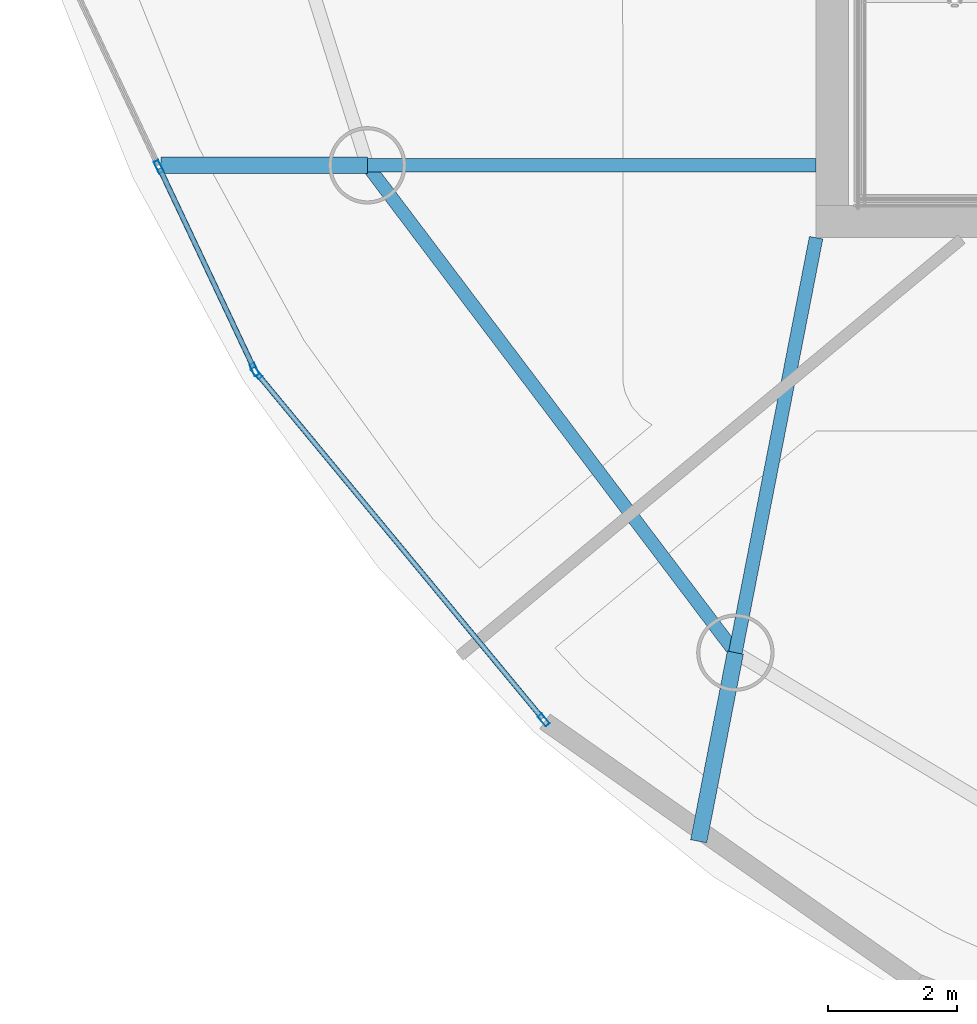
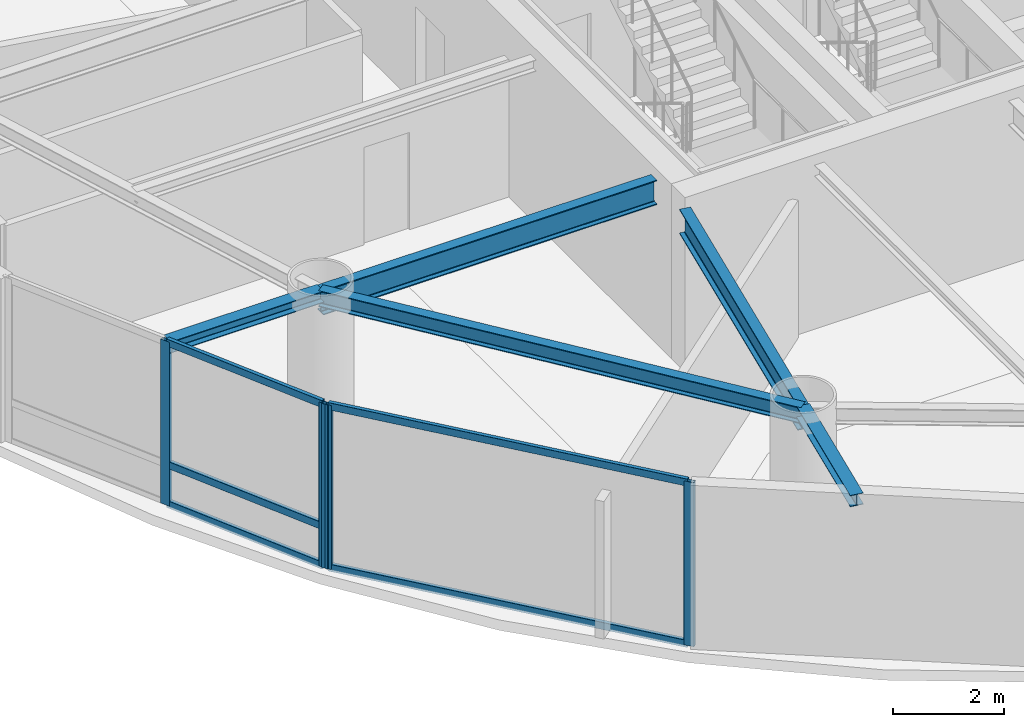
# One storey, part 2 of 20: 9 members, 5 beams, 2 elements without a shape of their own.
"""IFC4 building model written with IfcOpenShell, lengths in metres."""

from ifc_helpers import new_model, si_unit, direction, frame, origin, origin_2d, place, context, subcontext, project, spatial, hollow_rectangle, i_section, extrude, material, layer, layer_set, material_profile, profile_set, type_object, element, aggregate, save


model = new_model("IFC4")

# Units and contexts
model_context = context("Model", 3, precision=1e-05, world=origin(), true_north=direction((0.0, 1.0)))
body_context = subcontext(model_context, "Body", "Model", "MODEL_VIEW")
ifc_project = project(units=[si_unit("LENGTHUNIT", "METRE"), si_unit("AREAUNIT", "SQUARE_METRE"), si_unit("VOLUMEUNIT", "CUBIC_METRE"), si_unit("PLANEANGLEUNIT", "RADIAN"), si_unit("MASSUNIT", "GRAM", prefix="KILO")], contexts=[model_context])

# Site, building, storey
site_placement = place(None, origin())
site = spatial("IfcSite", under=ifc_project, at=site_placement, CompositionType="ELEMENT")
building_placement = place(site_placement, origin())
building = spatial("IfcBuilding", under=site, at=building_placement, Name="Bramvorn Convention Spire", CompositionType="ELEMENT")
storey_placement = place(building_placement, frame((0.0, 0.0, 202.0)))
storey = spatial("IfcBuildingStorey", under=building, at=storey_placement, Name="L51", CompositionType="ELEMENT", Elevation=202.0)

# Beams
ifc_material_1 = material(Name="Steel CSA G40.21 Grade 350 (350W)", Category="steel")
ifc_material_profile_1 = material_profile(ifc_material_1, i_section(OverallWidth=0.25390625, OverallDepth=0.2529296875, WebThickness=0.008544921875, FlangeThickness=0.01416015625, FilletRadius=0.011962890625, at=origin_2d()))
ifc_profile_set_1 = profile_set([ifc_material_profile_1], Name="Steel CSA G40.21 Grade 350 (350W) - W250X73")
beam_type_1 = type_object("IfcBeamType", Name="BM-W250X73", PredefinedType="BEAM", material=ifc_profile_set_1)
beam_1_placement = place(storey_placement, frame((19.78955078125, 19.672607421875, 3.493408203125), z_axis=(-1.0, 0.0, 0.0), x_axis=(0.0, -1.0, 0.0)))
element("IfcBeam", 1, at=beam_1_placement, inside=storey, type_object=beam_type_1, Name="L51 slab-edge cantilever tip beam MC12", PredefinedType="BEAM", context=body_context, shape_type="SweptSolid", body=[
    extrude(i_section(OverallWidth=0.25390625, OverallDepth=0.2529296875, WebThickness=0.008544921875, FlangeThickness=0.01416015625, FilletRadius=0.011962890625, at=origin_2d()), origin(), (0.0, 0.0, 1.0), 3.199951171875),
])
beam_2_placement = place(storey_placement, frame((25.498046875, 12.114990234375, 3.493408203125), z_axis=(-0.191009966845, -0.981588097201, 0.0), x_axis=(0.981588097201, -0.191009966845, 0.0)))
element("IfcBeam", 2, at=beam_2_placement, inside=storey, type_object=beam_type_1, Name="L51 slab-edge cantilever tip beam MC13", PredefinedType="BEAM", context=body_context, shape_type="SweptSolid", body=[
    extrude(i_section(OverallWidth=0.25390625, OverallDepth=0.2529296875, WebThickness=0.008544921875, FlangeThickness=0.01416015625, FilletRadius=0.011962890625, at=origin_2d()), origin(), (0.0, 0.0, 1.0), 2.980712890625),
])
ifc_material_profile_2 = material_profile(ifc_material_1, i_section(OverallWidth=0.205078125, OverallDepth=0.35400390625, WebThickness=0.009521484375, FlangeThickness=0.016845703125, FilletRadius=0.014892578125, at=origin_2d()))
ifc_profile_set_2 = profile_set([ifc_material_profile_2], Name="Steel CSA G40.21 Grade 350 (350W) - W360X79")
beam_type_2 = type_object("IfcBeamType", Name="BM-W360X79", PredefinedType="JOIST", material=ifc_profile_set_2)
beam_3_placement = place(storey_placement, frame((19.78955078125, 19.672607421875, 3.443115234375), z_axis=(0.602718581414, -0.797953827999, 0.0), x_axis=(0.797953827999, 0.602718581414, 0.0)))
element("IfcBeam", 3, at=beam_3_placement, inside=storey, type_object=beam_type_2, Name="L51 mega-column ring beam 12", PredefinedType="JOIST", context=body_context, shape_type="SweptSolid", body=[
    extrude(i_section(OverallWidth=0.205078125, OverallDepth=0.35400390625, WebThickness=0.009521484375, FlangeThickness=0.016845703125, FilletRadius=0.014892578125, at=origin_2d()), origin(), (0.0, 0.0, 1.0), 9.47119140625),
])
ifc_material_profile_3 = material_profile(ifc_material_1, i_section(OverallWidth=0.2119140625, OverallDepth=0.5439453125, WebThickness=0.01318359375, FlangeThickness=0.021240234375, FilletRadius=0.01904296875, at=origin_2d()))
ifc_profile_set_3 = profile_set([ifc_material_profile_3], Name="Steel CSA G40.21 Grade 350 (350W) - W530X123")
beam_type_3 = type_object("IfcBeamType", Name="BM-W530X123", PredefinedType="BEAM", material=ifc_profile_set_3)
beam_4_placement = place(storey_placement, frame((26.75, 19.672607421875, 3.347900390625), z_axis=(-1.0, 0.0, 0.0), x_axis=(0.0, -1.0, 0.0)))
element("IfcBeam", 4, at=beam_4_placement, inside=storey, type_object=beam_type_3, Name="L51 radial floor girder MC12", PredefinedType="BEAM", context=body_context, shape_type="SweptSolid", body=[
    extrude(i_section(OverallWidth=0.2119140625, OverallDepth=0.5439453125, WebThickness=0.01318359375, FlangeThickness=0.021240234375, FilletRadius=0.01904296875, at=origin_2d()), origin(), (0.0, 0.0, 1.0), 6.96044921875),
])
beam_5_placement = place(storey_placement, frame((26.75, 18.550048828125, 3.347900390625), z_axis=(-0.190971329886, -0.981595614885, 0.0), x_axis=(0.981595614885, -0.190971329886, 0.0)))
element("IfcBeam", 5, at=beam_5_placement, inside=storey, type_object=beam_type_3, Name="L51 radial floor girder MC13", PredefinedType="BEAM", context=body_context, shape_type="SweptSolid", body=[
    extrude(i_section(OverallWidth=0.2119140625, OverallDepth=0.5439453125, WebThickness=0.01318359375, FlangeThickness=0.021240234375, FilletRadius=0.01904296875, at=origin_2d()), origin(), (0.0, 0.0, 1.0), 6.5556640625),
])

# Curtain wall, members
ifc_material_2 = material(Name="Anodised Bronze Unitised Curtain Wall", Category="aluminium")
ifc_layer = layer(ifc_material_2, 0.179931640625)
ifc_layer_set = layer_set([ifc_layer], Name="Anodised Bronze Unitised Curtain Wall - CW-OFF-FRIT")
curtain_wall_type = type_object("IfcCurtainWallType", Name="CW-OFF-FRIT", PredefinedType="USERDEFINED", material=ifc_layer_set)
curtain_wall_1_placement = place(storey_placement, origin())
curtain_wall_1 = element("IfcCurtainWall", 6, at=curtain_wall_1_placement, inside=storey, type_object=curtain_wall_type, Name="L51 fritted glass curtain wall 17", ObjectType="UNITISED CURTAIN WALL", PredefinedType="USERDEFINED")
ifc_material_3 = material(Name="Anodised Bronze Aluminium 6063-T6", Category="aluminium")
ifc_material_profile_4 = material_profile(ifc_material_3, hollow_rectangle(XDim=0.080078125, YDim=0.199951171875, WallThickness=0.00390625, InnerFilletRadius=0.0009765625, OuterFilletRadius=0.00390625, at=origin_2d()))
ifc_profile_set_4 = profile_set([ifc_material_profile_4], Name="Anodised Bronze Aluminium 6063-T6 - CWM80X200")
member_type_1 = type_object("IfcMemberType", Name="CW-MUL-180", PredefinedType="MULLION", material=ifc_profile_set_4)
member_1_placement = place(storey_placement, frame((18.04052734375, 16.50390625, 0.0), z_axis=(0.0, 0.0, 1.0), x_axis=(-0.904383555364, -0.426720499609, 0.0)))
member_1 = element("IfcMember", 7, at=member_1_placement, type_object=member_type_1, Name="CW3 mullion 1", PredefinedType="MULLION", context=body_context, shape_type="SweptSolid", body=[
    extrude(hollow_rectangle(XDim=0.080078125, YDim=0.199951171875, WallThickness=0.00390625, InnerFilletRadius=0.0009765625, OuterFilletRadius=0.00390625, at=origin_2d()), origin(), (0.0, 0.0, 1.0), 3.6201171875),
])
member_2_placement = place(storey_placement, frame((16.555908203125, 19.650146484375, 0.0), z_axis=(0.0, 0.0, 1.0), x_axis=(-0.904383555364, -0.426720499609, 0.0)))
member_2 = element("IfcMember", 8, at=member_2_placement, type_object=member_type_1, Name="CW3 mullion 2", PredefinedType="MULLION", context=body_context, shape_type="SweptSolid", body=[
    extrude(hollow_rectangle(XDim=0.080078125, YDim=0.199951171875, WallThickness=0.00390625, InnerFilletRadius=0.0009765625, OuterFilletRadius=0.00390625, at=origin_2d()), origin(), (0.0, 0.0, 1.0), 3.6201171875),
])

curtain_wall_2_placement = place(storey_placement, origin())
curtain_wall_2 = element("IfcCurtainWall", 9, at=curtain_wall_2_placement, inside=storey, type_object=curtain_wall_type, Name="L51 fritted glass curtain wall 18", ObjectType="UNITISED CURTAIN WALL", PredefinedType="USERDEFINED")
member_3_placement = place(storey_placement, frame((22.525634765625, 11.071533203125, 0.0), z_axis=(0.0, 0.0, 1.0), x_axis=(-0.770463070236, -0.637484633072, 0.0)))
member_3 = element("IfcMember", 10, at=member_3_placement, type_object=member_type_1, Name="CW3 mullion 1", PredefinedType="MULLION", context=body_context, shape_type="SweptSolid", body=[
    extrude(hollow_rectangle(XDim=0.080078125, YDim=0.199951171875, WallThickness=0.00390625, InnerFilletRadius=0.0009765625, OuterFilletRadius=0.00390625, at=origin_2d()), origin(), (0.0, 0.0, 1.0), 3.6201171875),
])
member_4_placement = place(storey_placement, frame((18.072509765625, 16.45361328125, 0.0), z_axis=(0.0, 0.0, 1.0), x_axis=(-0.770463070236, -0.637484633072, 0.0)))
member_4 = element("IfcMember", 11, at=member_4_placement, type_object=member_type_1, Name="CW3 mullion 2", PredefinedType="MULLION", context=body_context, shape_type="SweptSolid", body=[
    extrude(hollow_rectangle(XDim=0.080078125, YDim=0.199951171875, WallThickness=0.00390625, InnerFilletRadius=0.0009765625, OuterFilletRadius=0.00390625, at=origin_2d()), origin(), (0.0, 0.0, 1.0), 3.6201171875),
])

# Member
ifc_material_profile_5 = material_profile(ifc_material_3, hollow_rectangle(XDim=0.080078125, YDim=0.159912109375, WallThickness=0.00390625, InnerFilletRadius=0.0009765625, OuterFilletRadius=0.00390625, at=origin_2d()))
ifc_profile_set_5 = profile_set([ifc_material_profile_5], Name="Anodised Bronze Aluminium 6063-T6 - CWT80X160")
member_type_2 = type_object("IfcMemberType", Name="CW-TRN-150", PredefinedType="USERDEFINED", material=ifc_profile_set_5)
member_5_placement = place(storey_placement, frame((18.027587890625, 16.531005859375, 0.030029296875), z_axis=(-0.426701339172, 0.904392595695, 0.0), x_axis=(-0.904392595695, -0.426701339172, 0.0)))
member_5 = element("IfcMember", 12, at=member_5_placement, type_object=member_type_2, Name="CW3 transom 1.1", ObjectType="TRANSOM", PredefinedType="USERDEFINED", context=body_context, shape_type="SweptSolid", body=[
    extrude(hollow_rectangle(XDim=0.080078125, YDim=0.159912109375, WallThickness=0.00390625, InnerFilletRadius=0.0009765625, OuterFilletRadius=0.00390625, at=origin_2d()), origin(), (0.0, 0.0, 1.0), 3.418701171875),
])

member_6_placement = place(storey_placement, frame((18.027587890625, 16.531005859375, 0.89990234375), z_axis=(-0.426701339172, 0.904392595695, 0.0), x_axis=(-0.904392595695, -0.426701339172, 0.0)))
member_6 = element("IfcMember", 13, at=member_6_placement, type_object=member_type_2, Name="CW3 transom 1.2", ObjectType="TRANSOM", PredefinedType="USERDEFINED", context=body_context, shape_type="SweptSolid", body=[
    extrude(hollow_rectangle(XDim=0.080078125, YDim=0.159912109375, WallThickness=0.00390625, InnerFilletRadius=0.0009765625, OuterFilletRadius=0.00390625, at=origin_2d()), origin(), (0.0, 0.0, 1.0), 3.418701171875),
])

member_7_placement = place(storey_placement, frame((18.027587890625, 16.531005859375, 3.590087890625), z_axis=(-0.426701339172, 0.904392595695, 0.0), x_axis=(-0.904392595695, -0.426701339172, 0.0)))
member_7 = element("IfcMember", 14, at=member_7_placement, type_object=member_type_2, Name="CW3 transom 1.3", ObjectType="TRANSOM", PredefinedType="USERDEFINED", context=body_context, shape_type="SweptSolid", body=[
    extrude(hollow_rectangle(XDim=0.080078125, YDim=0.159912109375, WallThickness=0.00390625, InnerFilletRadius=0.0009765625, OuterFilletRadius=0.00390625, at=origin_2d()), origin(), (0.0, 0.0, 1.0), 3.418701171875),
])

aggregate(curtain_wall_1, [member_1, member_2, member_5, member_6, member_7])

member_8_placement = place(storey_placement, frame((22.50634765625, 11.0947265625, 0.030029296875), z_axis=(-0.637486182446, 0.770461788274, 0.0), x_axis=(-0.770461788274, -0.637486182446, 0.0)))
member_8 = element("IfcMember", 15, at=member_8_placement, type_object=member_type_2, Name="CW3 transom 1.1", ObjectType="TRANSOM", PredefinedType="USERDEFINED", context=body_context, shape_type="SweptSolid", body=[
    extrude(hollow_rectangle(XDim=0.080078125, YDim=0.159912109375, WallThickness=0.00390625, InnerFilletRadius=0.0009765625, OuterFilletRadius=0.00390625, at=origin_2d()), origin(), (0.0, 0.0, 1.0), 6.92529296875),
])

member_9_placement = place(storey_placement, frame((22.50634765625, 11.0947265625, 3.590087890625), z_axis=(-0.637486182446, 0.770461788274, 0.0), x_axis=(-0.770461788274, -0.637486182446, 0.0)))
member_9 = element("IfcMember", 16, at=member_9_placement, type_object=member_type_2, Name="CW3 transom 1.2", ObjectType="TRANSOM", PredefinedType="USERDEFINED", context=body_context, shape_type="SweptSolid", body=[
    extrude(hollow_rectangle(XDim=0.080078125, YDim=0.159912109375, WallThickness=0.00390625, InnerFilletRadius=0.0009765625, OuterFilletRadius=0.00390625, at=origin_2d()), origin(), (0.0, 0.0, 1.0), 6.92529296875),
])

aggregate(curtain_wall_2, [member_3, member_4, member_8, member_9])

save(model, "model.ifc")
